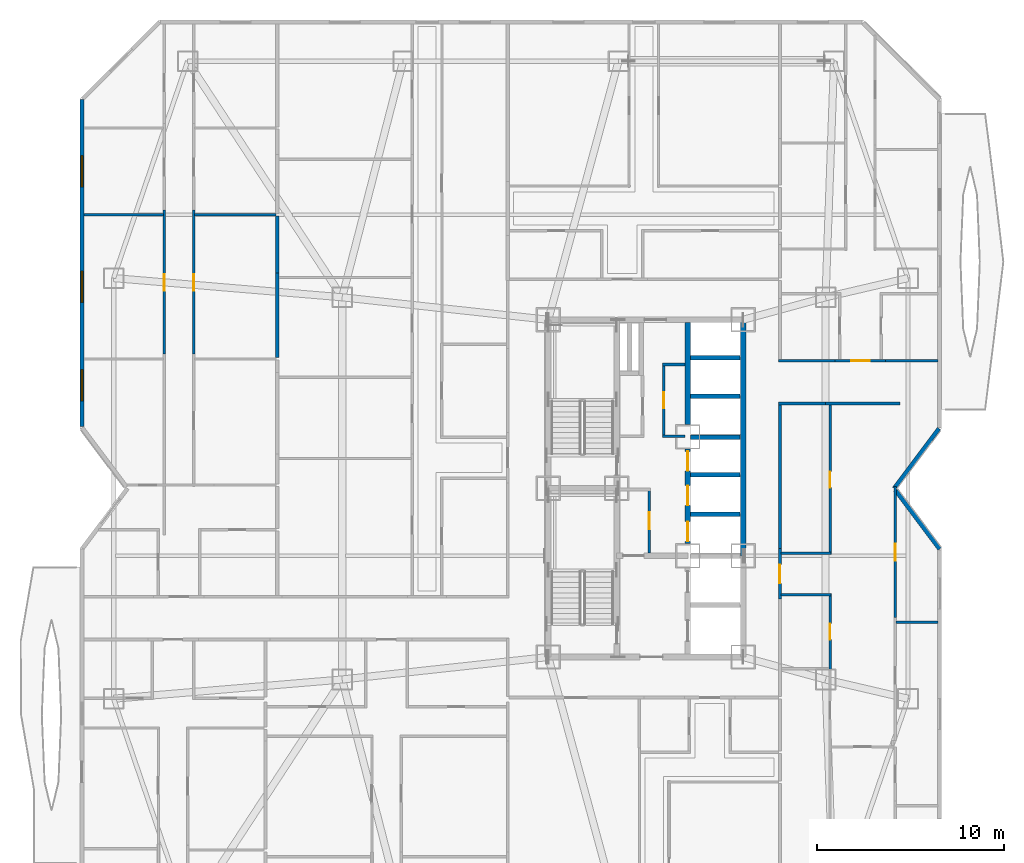
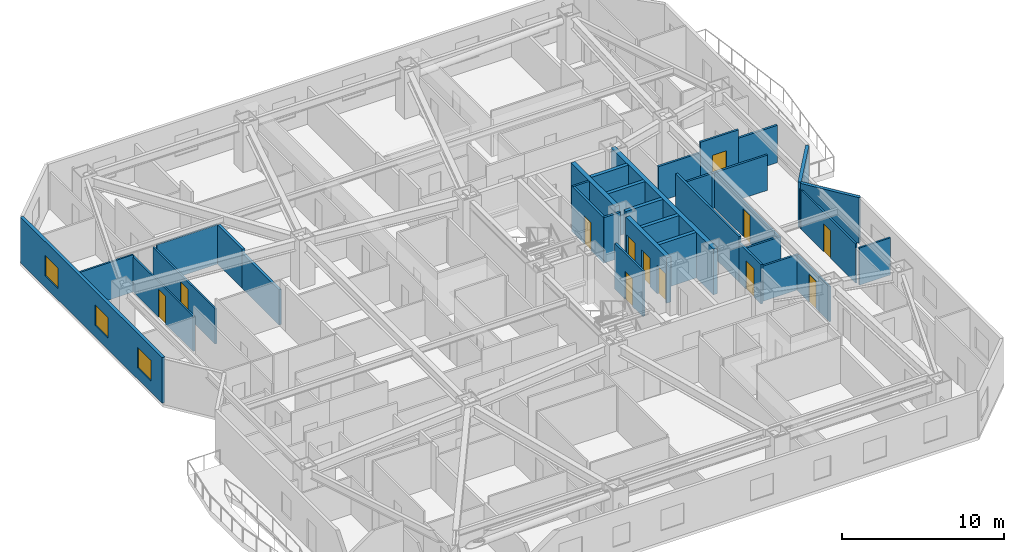
# One storey, part 11 of 17: 34 walls, 12 doors, 3 windows, 15 openings.
"""IFC4 building model written with IfcOpenShell, lengths in metres."""

from ifc_helpers import new_model, si_unit, direction, frame, frame_2d, origin, place, context, subcontext, project, spatial, rectangle, extrude, material, layer, layer_set, type_object, element, fill, save


model = new_model("IFC4")

# Units and contexts
model_context = context("Model", 3, precision=1e-05, world=origin(), true_north=direction((0.0, 1.0)))
body_context = subcontext(model_context, "Body", "Model", "MODEL_VIEW")
ifc_project = project(units=[si_unit("LENGTHUNIT", "METRE"), si_unit("AREAUNIT", "SQUARE_METRE"), si_unit("VOLUMEUNIT", "CUBIC_METRE"), si_unit("PLANEANGLEUNIT", "RADIAN"), si_unit("MASSUNIT", "GRAM", prefix="KILO")], contexts=[model_context])

# Site, building, storey
site_placement = place(None, origin())
site = spatial("IfcSite", under=ifc_project, at=site_placement, CompositionType="ELEMENT")
building_placement = place(site_placement, origin())
building = spatial("IfcBuilding", under=site, at=building_placement, Name="Khamvora Tower", CompositionType="ELEMENT")
storey_placement = place(building_placement, frame((0.0, 0.0, 44.25)))
storey = spatial("IfcBuildingStorey", under=building, at=storey_placement, Name="L10", CompositionType="ELEMENT", Elevation=44.25)

# Wall
ifc_material_1 = material(Name="Concrete C50/60", Category="concrete")
ifc_layer_1 = layer(ifc_material_1, 0.300048828125)
ifc_layer_set_1 = layer_set([ifc_layer_1], Name="Concrete C50/60")
wall_type_1 = type_object("IfcWallType", Name="WAL-CORE-300", PredefinedType="SHEAR", material=ifc_layer_set_1)
wall_1_placement = place(storey_placement, frame((39.39990234375, 24.39990234375, 0.0), z_axis=(0.0, 0.0, 1.0), x_axis=(0.0, 1.0, 0.0)))
element("IfcWall", 1, at=wall_1_placement, inside=storey, type_object=wall_type_1, Name="L10 central core east north wall", PredefinedType="SHEAR", context=body_context, shape_type="SweptSolid", body=[
    extrude(rectangle(XDim=12.60009765625, YDim=0.300048828125, at=frame_2d((6.300048828125, 0.0))), origin(), (0.0, 0.0, 1.0), 3.429931640625),
])

# Wall, openings, doors
wall_2_placement = place(storey_placement, frame((36.449951171875, 25.050048828125, 0.0), z_axis=(0.0, 0.0, 1.0), x_axis=(0.0, 1.0, 0.0)))
wall_2 = element("IfcWall", 2, at=wall_2_placement, inside=storey, type_object=wall_type_1, Name="L10 central core lift bank central wall", PredefinedType="SHEAR", context=body_context, shape_type="SweptSolid", body=[
    extrude(rectangle(XDim=5.050048828125, YDim=0.300048828125, at=frame_2d((2.52490234375, 0.0))), origin(), (0.0, 0.0, 1.0), 3.429931640625),
])
opening_1_placement = place(wall_2_placement, frame((0.1201171875, 0.0, 0.0)))
opening_1 = element("IfcOpeningElement", 3, at=opening_1_placement, cuts=wall_2, Name="Opening LD-PL", PredefinedType="OPENING", context=body_context, shape_type="SweptSolid", body=[
    extrude(rectangle(XDim=1.050048828125, YDim=2.14990234375, at=frame_2d((0.52490234375, 1.074951171875))), frame((0.0, 0.159912109375, 0.0), z_axis=(0.0, -1.0, 0.0), x_axis=(1.0, 0.0, 0.0)), (0.0, 0.0, 1.0), 0.320068359375),
])
opening_2_placement = place(wall_2_placement, frame((2.044921875, 0.0, 0.0)))
opening_2 = element("IfcOpeningElement", 4, at=opening_2_placement, cuts=wall_2, Name="Opening LD-PL", PredefinedType="OPENING", context=body_context, shape_type="SweptSolid", body=[
    extrude(rectangle(XDim=1.050048828125, YDim=2.14990234375, at=frame_2d((0.52490234375, 1.074951171875))), frame((0.0, 0.159912109375, 0.0), z_axis=(0.0, -1.0, 0.0), x_axis=(1.0, 0.0, 0.0)), (0.0, 0.0, 1.0), 0.320068359375),
])
opening_3_placement = place(wall_2_placement, frame((3.8798828125, 0.0, 0.0)))
opening_3 = element("IfcOpeningElement", 5, at=opening_3_placement, cuts=wall_2, Name="Opening LD-PL", PredefinedType="OPENING", context=body_context, shape_type="SweptSolid", body=[
    extrude(rectangle(XDim=1.050048828125, YDim=2.14990234375, at=frame_2d((0.52490234375, 1.074951171875))), frame((0.0, 0.159912109375, 0.0), z_axis=(0.0, -1.0, 0.0), x_axis=(1.0, 0.0, 0.0)), (0.0, 0.0, 1.0), 0.320068359375),
])
ifc_material_2 = material(Name="Powder-Coated Steel and Hardwood Leaf", Category="steel")
door_type_1 = type_object("IfcDoorType", Name="DOR-LIFT-1050", OperationType="SLIDING_TO_LEFT", PredefinedType="DOOR", material=ifc_material_2)
door_1_placement = place(opening_1_placement, origin())
door_1 = element("IfcDoor", 6, at=door_1_placement, inside=storey, type_object=door_type_1, Name="L10 lift landing sliding door PL-01", OperationType="SLIDING_TO_LEFT", OverallHeight=2.14990234375, OverallWidth=1.050048828125, PredefinedType="DOOR", context=body_context, shape_type="SweptSolid", body=[
    extrude(rectangle(XDim=1.050048828125, YDim=2.14990234375, at=frame_2d((0.52490234375, 1.074951171875))), frame((0.0, 0.02490234375, 0.0), z_axis=(0.0, -1.0, 0.0), x_axis=(1.0, 0.0, 0.0)), (0.0, 0.0, 1.0), 0.050048828125),
])
fill(opening_1, door_1)
door_2_placement = place(opening_2_placement, origin())
door_2 = element("IfcDoor", 7, at=door_2_placement, inside=storey, type_object=door_type_1, Name="L10 lift landing sliding door PL-02", OperationType="SLIDING_TO_LEFT", OverallHeight=2.14990234375, OverallWidth=1.050048828125, PredefinedType="DOOR", context=body_context, shape_type="SweptSolid", body=[
    extrude(rectangle(XDim=1.050048828125, YDim=2.14990234375, at=frame_2d((0.52490234375, 1.074951171875))), frame((0.0, 0.02490234375, 0.0), z_axis=(0.0, -1.0, 0.0), x_axis=(1.0, 0.0, 0.0)), (0.0, 0.0, 1.0), 0.050048828125),
])
fill(opening_2, door_2)
door_3_placement = place(opening_3_placement, origin())
door_3 = element("IfcDoor", 8, at=door_3_placement, inside=storey, type_object=door_type_1, Name="L10 lift landing sliding door PL-03", OperationType="SLIDING_TO_LEFT", OverallHeight=2.14990234375, OverallWidth=1.050048828125, PredefinedType="DOOR", context=body_context, shape_type="SweptSolid", body=[
    extrude(rectangle(XDim=1.050048828125, YDim=2.14990234375, at=frame_2d((0.52490234375, 1.074951171875))), frame((0.0, 0.02490234375, 0.0), z_axis=(0.0, -1.0, 0.0), x_axis=(1.0, 0.0, 0.0)), (0.0, 0.0, 1.0), 0.050048828125),
])
fill(opening_3, door_3)

# Walls
wall_3_placement = place(storey_placement, frame((36.449951171875, 31.39990234375, 0.0), z_axis=(0.0, 0.0, 1.0), x_axis=(0.0, 1.0, 0.0)))
element("IfcWall", 9, at=wall_3_placement, inside=storey, type_object=wall_type_1, Name="L10 central core lift bank north wall", PredefinedType="SHEAR", context=body_context, shape_type="SweptSolid", body=[
    extrude(rectangle(XDim=5.446044921875, YDim=0.300048828125, at=frame_2d((2.72314453125, 0.0))), origin(), (0.0, 0.0, 1.0), 3.429931640625),
])
ifc_material_3 = material(Name="Fire-Rated Drywall and Steel Stud", Category="steel")
ifc_layer_2 = layer(ifc_material_3, 0.14990234375)
ifc_layer_set_2 = layer_set([ifc_layer_2], Name="Fire-Rated Drywall and Steel Stud")
wall_type_2 = type_object("IfcWallType", Name="WAL-CORR-150", PredefinedType="STANDARD", material=ifc_layer_set_2)
wall_4_placement = place(storey_placement, frame((36.305908203125, 34.614990234375, 0.0), z_axis=(0.0, 0.0, 1.0), x_axis=(-1.0, 0.0, 0.0)))
element("IfcWall", 10, at=wall_4_placement, inside=storey, type_object=wall_type_2, Name="L10 interior partition wall 001", PredefinedType="STANDARD", context=body_context, shape_type="SweptSolid", body=[
    extrude(rectangle(XDim=1.205810546875, YDim=0.14990234375, at=frame_2d((0.60302734375, 0.0))), origin(), (0.0, 0.0, 1.0), 3.429931640625),
])

# Wall, opening, door
wall_5_placement = place(storey_placement, frame((35.1650390625, 34.677978515625, 0.0), z_axis=(0.0, 0.0, 1.0), x_axis=(0.0, -1.0, 0.0)))
wall_5 = element("IfcWall", 11, at=wall_5_placement, inside=storey, type_object=wall_type_2, Name="L10 interior partition wall 002", PredefinedType="STANDARD", context=body_context, shape_type="SweptSolid", body=[
    extrude(rectangle(XDim=3.9580078125, YDim=0.14990234375, at=frame_2d((1.97900390625, 0.0))), origin(), (0.0, 0.0, 1.0), 3.429931640625),
])
opening_4_placement = place(wall_5_placement, frame((1.553955078125, 0.0, 0.0)))
opening_4 = element("IfcOpeningElement", 12, at=opening_4_placement, cuts=wall_5, Name="Opening D-WC1", PredefinedType="OPENING", context=body_context, shape_type="SweptSolid", body=[
    extrude(rectangle(XDim=0.85009765625, YDim=2.10009765625, at=frame_2d((0.425048828125, 1.050048828125))), frame((0.0, 0.0849609375, 0.0), z_axis=(0.0, -1.0, 0.0), x_axis=(1.0, 0.0, 0.0)), (0.0, 0.0, 1.0), 0.169921875),
])
door_type_2 = type_object("IfcDoorType", Name="DOR-WET-850", OperationType="NOTDEFINED", PredefinedType="DOOR", material=ifc_material_2)
door_4_placement = place(opening_4_placement, origin())
door_4 = element("IfcDoor", 13, at=door_4_placement, inside=storey, type_object=door_type_2, Name="L10 interior door PLL-CS1", OperationType="SINGLE_SWING_RIGHT", OverallHeight=2.10009765625, OverallWidth=0.85009765625, PredefinedType="DOOR", context=body_context, shape_type="SweptSolid", body=[
    extrude(rectangle(XDim=0.85009765625, YDim=2.10009765625, at=frame_2d((0.425048828125, 1.050048828125))), frame((0.0, 0.02490234375, 0.0), z_axis=(0.0, -1.0, 0.0), x_axis=(1.0, 0.0, 0.0)), (0.0, 0.0, 1.0), 0.050048828125),
])
fill(opening_4, door_4)

# Wall
wall_6_placement = place(storey_placement, frame((35.10205078125, 30.784912109375, 0.0), z_axis=(0.0, 0.0, 1.0), x_axis=(1.0, 0.0, 0.0)))
element("IfcWall", 14, at=wall_6_placement, inside=storey, type_object=wall_type_2, Name="L10 interior partition wall 003", PredefinedType="STANDARD", context=body_context, shape_type="SweptSolid", body=[
    extrude(rectangle(XDim=1.197998046875, YDim=0.14990234375, at=frame_2d((0.59912109375, 0.0))), origin(), (0.0, 0.0, 1.0), 3.429931640625),
])

# Wall, opening, door
wall_7_placement = place(storey_placement, frame((34.385009765625, 24.5439453125, 0.0), z_axis=(0.0, 0.0, 1.0), x_axis=(0.0, 1.0, 0.0)))
wall_7 = element("IfcWall", 15, at=wall_7_placement, inside=storey, type_object=wall_type_2, Name="L10 interior partition wall 006", PredefinedType="STANDARD", context=body_context, shape_type="SweptSolid", body=[
    extrude(rectangle(XDim=3.4560546875, YDim=0.14990234375, at=frame_2d((1.72802734375, 0.0))), origin(), (0.0, 0.0, 1.0), 3.429931640625),
])
opening_5_placement = place(wall_7_placement, frame((1.278076171875, 0.0, 0.0)))
opening_5 = element("IfcOpeningElement", 16, at=opening_5_placement, cuts=wall_7, Name="Opening D-RM1", PredefinedType="OPENING", context=body_context, shape_type="SweptSolid", body=[
    extrude(rectangle(XDim=0.89990234375, YDim=2.10009765625, at=frame_2d((0.449951171875, 1.050048828125))), frame((0.0, 0.0849609375, 0.0), z_axis=(0.0, -1.0, 0.0), x_axis=(1.0, 0.0, 0.0)), (0.0, 0.0, 1.0), 0.169921875),
])
door_type_3 = type_object("IfcDoorType", Name="DOR-ROOM-900", OperationType="NOTDEFINED", PredefinedType="DOOR", material=ifc_material_2)
door_5_placement = place(opening_5_placement, origin())
door_5 = element("IfcDoor", 17, at=door_5_placement, inside=storey, type_object=door_type_3, Name="L10 interior door PLL-CS3", OperationType="SINGLE_SWING_RIGHT", OverallHeight=2.10009765625, OverallWidth=0.89990234375, PredefinedType="DOOR", context=body_context, shape_type="SweptSolid", body=[
    extrude(rectangle(XDim=0.89990234375, YDim=2.10009765625, at=frame_2d((0.449951171875, 1.050048828125))), frame((0.0, 0.02490234375, 0.0), z_axis=(0.0, -1.0, 0.0), x_axis=(1.0, 0.0, 0.0)), (0.0, 0.0, 1.0), 0.050048828125),
])
fill(opening_5, door_5)

# Wall
wall_8_placement = place(storey_placement, frame((47.76708984375, 32.534912109375, 0.0), z_axis=(0.0, 0.0, 1.0), x_axis=(-1.0, 0.0, 0.0)))
element("IfcWall", 18, at=wall_8_placement, inside=storey, type_object=wall_type_2, Name="L10 interior partition wall 033", PredefinedType="STANDARD", context=body_context, shape_type="SweptSolid", body=[
    extrude(rectangle(XDim=3.97802734375, YDim=0.14990234375, at=frame_2d((1.989013671875, 0.0))), origin(), (0.0, 0.0, 1.0), 2.64697265625),
])

# Wall, opening, door
wall_9_placement = place(storey_placement, frame((41.364990234375, 24.782958984375, 0.0), z_axis=(0.0, 0.0, 1.0), x_axis=(0.0, -1.0, 0.0)))
wall_9 = element("IfcWall", 19, at=wall_9_placement, inside=storey, type_object=wall_type_2, Name="L10 interior partition wall 034", PredefinedType="STANDARD", context=body_context, shape_type="SweptSolid", body=[
    extrude(rectangle(XDim=2.697998046875, YDim=0.14990234375, at=frame_2d((1.34912109375, 0.0))), origin(), (0.0, 0.0, 1.0), 2.95703125),
])
opening_6_placement = place(wall_9_placement, frame((0.84912109375, 0.0, 0.0)))
opening_6 = element("IfcOpeningElement", 20, at=opening_6_placement, cuts=wall_9, Name="Opening D-U1", PredefinedType="OPENING", context=body_context, shape_type="SweptSolid", body=[
    extrude(rectangle(XDim=1.0, YDim=2.14990234375, at=frame_2d((0.5, 1.074951171875))), frame((0.0, 0.0849609375, 0.0), z_axis=(0.0, -1.0, 0.0), x_axis=(1.0, 0.0, 0.0)), (0.0, 0.0, 1.0), 0.169921875),
])
door_type_4 = type_object("IfcDoorType", Name="DOR-UNIT-1000", OperationType="NOTDEFINED", PredefinedType="DOOR", material=ifc_material_2)
door_6_placement = place(opening_6_placement, origin())
door_6 = element("IfcDoor", 21, at=door_6_placement, inside=storey, type_object=door_type_4, Name="L10 interior door COR-10EAH", OperationType="SINGLE_SWING_RIGHT", OverallHeight=2.14990234375, OverallWidth=1.0, PredefinedType="DOOR", context=body_context, shape_type="SweptSolid", body=[
    extrude(rectangle(XDim=1.0, YDim=2.14990234375, at=frame_2d((0.5, 1.074951171875))), frame((0.0, 0.02490234375, 0.0), z_axis=(0.0, -1.0, 0.0), x_axis=(1.0, 0.0, 0.0)), (0.0, 0.0, 1.0), 0.050048828125),
])
fill(opening_6, door_6)

# Walls
wall_10_placement = place(storey_placement, frame((43.7890625, 32.534912109375, 0.0), z_axis=(0.0, 0.0, 1.0), x_axis=(-1.0, 0.0, 0.0)))
element("IfcWall", 22, at=wall_10_placement, inside=storey, type_object=wall_type_2, Name="L10 interior partition wall 036", PredefinedType="STANDARD", context=body_context, shape_type="SweptSolid", body=[
    extrude(rectangle(XDim=2.489013671875, YDim=0.14990234375, at=frame_2d((1.24462890625, 0.0))), origin(), (0.0, 0.0, 1.0), 2.64697265625),
])
wall_11_placement = place(storey_placement, frame((41.364990234375, 32.60009765625, 0.0), z_axis=(0.0, 0.0, 1.0), x_axis=(0.0, -1.0, 0.0)))
element("IfcWall", 23, at=wall_11_placement, inside=storey, type_object=wall_type_2, Name="L10 interior partition wall 037", PredefinedType="STANDARD", context=body_context, shape_type="SweptSolid", body=[
    extrude(rectangle(XDim=7.817138671875, YDim=0.14990234375, at=frame_2d((3.90869140625, 0.0))), origin(), (0.0, 0.0, 1.0), 3.429931640625),
])

# Wall, opening, door
wall_12_placement = place(storey_placement, frame((44.31103515625, 34.81494140625, 0.0), z_axis=(0.0, 0.0, 1.0), x_axis=(1.0, 0.0, 0.0)))
wall_12 = element("IfcWall", 24, at=wall_12_placement, inside=storey, type_object=wall_type_2, Name="L10 interior partition wall 039", PredefinedType="STANDARD", context=body_context, shape_type="SweptSolid", body=[
    extrude(rectangle(XDim=2.697998046875, YDim=0.14990234375, at=frame_2d((1.34912109375, 0.0))), origin(), (0.0, 0.0, 1.0), 3.429931640625),
])
opening_7_placement = place(wall_12_placement, frame((0.84912109375, 0.0, 0.0)))
opening_7 = element("IfcOpeningElement", 25, at=opening_7_placement, cuts=wall_12, Name="Opening D-U1", PredefinedType="OPENING", context=body_context, shape_type="SweptSolid", body=[
    extrude(rectangle(XDim=1.0, YDim=2.14990234375, at=frame_2d((0.5, 1.074951171875))), frame((0.0, 0.0849609375, 0.0), z_axis=(0.0, -1.0, 0.0), x_axis=(1.0, 0.0, 0.0)), (0.0, 0.0, 1.0), 0.169921875),
])
door_7_placement = place(opening_7_placement, origin())
door_7 = element("IfcDoor", 26, at=door_7_placement, inside=storey, type_object=door_type_4, Name="L10 interior door COR-10ECH", OperationType="SINGLE_SWING_LEFT", OverallHeight=2.14990234375, OverallWidth=1.0, PredefinedType="DOOR", context=body_context, shape_type="SweptSolid", body=[
    extrude(rectangle(XDim=1.0, YDim=2.14990234375, at=frame_2d((0.5, 1.074951171875))), frame((0.0, 0.02490234375, 0.0), z_axis=(0.0, -1.0, 0.0), x_axis=(1.0, 0.0, 0.0)), (0.0, 0.0, 1.0), 0.050048828125),
])
fill(opening_7, door_7)

# Walls
wall_13_placement = place(storey_placement, frame((41.300048828125, 34.81494140625, 0.0), z_axis=(0.0, 0.0, 1.0), x_axis=(1.0, 0.0, 0.0)))
element("IfcWall", 27, at=wall_13_placement, inside=storey, type_object=wall_type_2, Name="L10 interior partition wall 041", PredefinedType="STANDARD", context=body_context, shape_type="SweptSolid", body=[
    extrude(rectangle(XDim=3.010986328125, YDim=0.14990234375, at=frame_2d((1.50537109375, 0.0))), origin(), (0.0, 0.0, 1.0), 2.64697265625),
])
wall_14_placement = place(storey_placement, frame((47.009033203125, 34.81494140625, 0.0), z_axis=(0.0, 0.0, 1.0), x_axis=(1.0, 0.0, 0.0)))
element("IfcWall", 28, at=wall_14_placement, inside=storey, type_object=wall_type_2, Name="L10 interior partition wall 042", PredefinedType="STANDARD", context=body_context, shape_type="SweptSolid", body=[
    extrude(rectangle(XDim=2.779052734375, YDim=0.14990234375, at=frame_2d((1.3896484375, 0.0))), origin(), (0.0, 0.0, 1.0), 2.802978515625),
])
ifc_material_4 = material(Name="Acoustic Double-Stud Fire Wall", Category="gypsum")
ifc_layer_3 = layer(ifc_material_4, 0.179931640625)
ifc_layer_set_3 = layer_set([ifc_layer_3], Name="Acoustic Double-Stud Fire Wall")
wall_type_3 = type_object("IfcWallType", Name="WAL-CORR-180", PredefinedType="STANDARD", material=ifc_layer_set_3)
wall_15_placement = place(storey_placement, frame((14.533935546875, 39.5009765625, 0.0), z_axis=(0.0, 0.0, 1.0), x_axis=(0.0, -1.0, 0.0)))
element("IfcWall", 29, at=wall_15_placement, inside=storey, type_object=wall_type_3, Name="L10 interior partition wall 101", PredefinedType="STANDARD", context=body_context, shape_type="SweptSolid", body=[
    extrude(rectangle(XDim=4.52392578125, YDim=0.179931640625, at=frame_2d((2.261962890625, 0.0))), origin(), (0.0, 0.0, 1.0), 2.64697265625),
])
wall_16_placement = place(storey_placement, frame((14.533935546875, 42.5390625, 0.0), z_axis=(0.0, 0.0, 1.0), x_axis=(0.0, -1.0, 0.0)))
element("IfcWall", 30, at=wall_16_placement, inside=storey, type_object=wall_type_3, Name="L10 interior partition wall 102", PredefinedType="STANDARD", context=body_context, shape_type="SweptSolid", body=[
    extrude(rectangle(XDim=3.0380859375, YDim=0.179931640625, at=frame_2d((1.51904296875, 0.0))), origin(), (0.0, 0.0, 1.0), 2.95703125),
])

# Wall, openings, windows
ifc_material_5 = material(Name="Precast concrete C40/50", Category="concrete")
ifc_layer_4 = layer(ifc_material_5, 0.219970703125)
ifc_layer_set_4 = layer_set([ifc_layer_4], Name="Precast concrete C40/50")
wall_type_4 = type_object("IfcWallType", Name="WAL-EXT-220", PredefinedType="STANDARD", material=ifc_layer_set_4)
wall_17_placement = place(storey_placement, frame((4.110107421875, 31.294921875, 0.0), z_axis=(0.0, 0.0, 1.0), x_axis=(0.0, 1.0, 0.0)))
wall_17 = element("IfcWall", 31, at=wall_17_placement, inside=storey, type_object=wall_type_4, Name="L10 exterior facade wall 05.1", PredefinedType="STANDARD", context=body_context, shape_type="SweptSolid", body=[
    extrude(rectangle(XDim=17.458984375, YDim=0.219970703125, at=frame_2d((8.7294921875, 0.0))), origin(), (0.0, 0.0, 1.0), 3.429931640625),
])
opening_8_placement = place(wall_17_placement, frame((1.3759765625, 0.0, 0.85009765625)))
opening_8 = element("IfcOpeningElement", 32, at=opening_8_placement, cuts=wall_17, Name="Opening WN-06", PredefinedType="OPENING", context=body_context, shape_type="SweptSolid", body=[
    extrude(rectangle(XDim=1.64990234375, YDim=1.550048828125, at=frame_2d((0.824951171875, 0.77490234375))), frame((0.0, 0.119873046875, 0.0), z_axis=(0.0, -1.0, 0.0), x_axis=(1.0, 0.0, 0.0)), (0.0, 0.0, 1.0), 0.239990234375),
])
opening_9_placement = place(wall_17_placement, frame((6.637939453125, 0.0, 0.85009765625)))
opening_9 = element("IfcOpeningElement", 33, at=opening_9_placement, cuts=wall_17, Name="Opening WN-06", PredefinedType="OPENING", context=body_context, shape_type="SweptSolid", body=[
    extrude(rectangle(XDim=1.64990234375, YDim=1.550048828125, at=frame_2d((0.824951171875, 0.77490234375))), frame((0.0, 0.119873046875, 0.0), z_axis=(0.0, -1.0, 0.0), x_axis=(1.0, 0.0, 0.0)), (0.0, 0.0, 1.0), 0.239990234375),
])
opening_10_placement = place(wall_17_placement, frame((12.800048828125, 0.0, 0.85009765625)))
opening_10 = element("IfcOpeningElement", 34, at=opening_10_placement, cuts=wall_17, Name="Opening WN-06", PredefinedType="OPENING", context=body_context, shape_type="SweptSolid", body=[
    extrude(rectangle(XDim=1.64990234375, YDim=1.550048828125, at=frame_2d((0.824951171875, 0.77490234375))), frame((0.0, 0.119873046875, 0.0), z_axis=(0.0, -1.0, 0.0), x_axis=(1.0, 0.0, 0.0)), (0.0, 0.0, 1.0), 0.239990234375),
])
ifc_material_6 = material(Name="Low-E Laminated Double Glazing", Category="glass")
window_type = type_object("IfcWindowType", Name="WIN-VIS-1650x1550", PartitioningType="SINGLE_PANEL", PredefinedType="WINDOW", material=ifc_material_6)
window_1_placement = place(opening_8_placement, origin())
window_1 = element("IfcWindow", 35, at=window_1_placement, inside=storey, type_object=window_type, Name="L10 vision window 05.1.01", OverallHeight=1.550048828125, OverallWidth=1.64990234375, PartitioningType="SINGLE_PANEL", PredefinedType="WINDOW", context=body_context, shape_type="SweptSolid", body=[
    extrude(rectangle(XDim=1.64990234375, YDim=1.550048828125, at=frame_2d((0.824951171875, 0.77490234375))), frame((0.0, 0.030029296875, 0.0), z_axis=(0.0, -1.0, 0.0), x_axis=(1.0, 0.0, 0.0)), (0.0, 0.0, 1.0), 0.06005859375),
])
fill(opening_8, window_1)
window_2_placement = place(opening_9_placement, origin())
window_2 = element("IfcWindow", 36, at=window_2_placement, inside=storey, type_object=window_type, Name="L10 vision window 05.1.02", OverallHeight=1.550048828125, OverallWidth=1.64990234375, PartitioningType="SINGLE_PANEL", PredefinedType="WINDOW", context=body_context, shape_type="SweptSolid", body=[
    extrude(rectangle(XDim=1.64990234375, YDim=1.550048828125, at=frame_2d((0.824951171875, 0.77490234375))), frame((0.0, 0.030029296875, 0.0), z_axis=(0.0, -1.0, 0.0), x_axis=(1.0, 0.0, 0.0)), (0.0, 0.0, 1.0), 0.06005859375),
])
fill(opening_9, window_2)
window_3_placement = place(opening_10_placement, origin())
window_3 = element("IfcWindow", 37, at=window_3_placement, inside=storey, type_object=window_type, Name="L10 vision window 05.1.03", OverallHeight=1.550048828125, OverallWidth=1.64990234375, PartitioningType="SINGLE_PANEL", PredefinedType="WINDOW", context=body_context, shape_type="SweptSolid", body=[
    extrude(rectangle(XDim=1.64990234375, YDim=1.550048828125, at=frame_2d((0.824951171875, 0.77490234375))), frame((0.0, 0.030029296875, 0.0), z_axis=(0.0, -1.0, 0.0), x_axis=(1.0, 0.0, 0.0)), (0.0, 0.0, 1.0), 0.06005859375),
])
fill(opening_10, window_3)

# Walls
wall_18_placement = place(storey_placement, frame((49.85595703125, 31.19091796875, 0.0), z_axis=(0.0, 0.0, 1.0), x_axis=(-0.600137081448, -0.799897170561, 0.0)))
element("IfcWall", 38, at=wall_18_placement, inside=storey, type_object=wall_type_4, Name="L10 exterior facade wall 10.1", PredefinedType="STANDARD", context=body_context, shape_type="SweptSolid", body=[
    extrude(rectangle(XDim=3.9892578125, YDim=0.219970703125, at=frame_2d((1.99462890625, 0.0))), origin(), (0.0, 0.0, 1.0), 3.429931640625),
])
wall_19_placement = place(storey_placement, frame((47.51904296875, 27.923095703125, 0.0), z_axis=(0.0, 0.0, 1.0), x_axis=(0.600118645218, -0.799911002338, 0.0)))
element("IfcWall", 39, at=wall_19_placement, inside=storey, type_object=wall_type_4, Name="L10 exterior facade wall 11.1", PredefinedType="STANDARD", context=body_context, shape_type="SweptSolid", body=[
    extrude(rectangle(XDim=3.95068359375, YDim=0.219970703125, at=frame_2d((1.975341796875, 0.0))), origin(), (0.0, 0.0, 1.0), 3.429931640625),
])

# Wall, opening, door
ifc_material_7 = material(Name="Gypsum Plasterboard Partition", Category="gypsum")
ifc_layer_5 = layer(ifc_material_7, 0.1201171875)
ifc_layer_set_5 = layer_set([ifc_layer_5], Name="Gypsum Plasterboard Partition")
wall_type_5 = type_object("IfcWallType", Name="WAL-PART-120", PredefinedType="PARTITIONING", material=ifc_layer_set_5)
wall_20_placement = place(storey_placement, frame((8.50390625, 35.160888671875, 0.0), z_axis=(0.0, 0.0, 1.0), x_axis=(0.0, 1.0, 0.0)))
wall_20 = element("IfcWall", 40, at=wall_20_placement, inside=storey, type_object=wall_type_5, Name="L10 interior partition wall 083", PredefinedType="PARTITIONING", context=body_context, shape_type="SweptSolid", body=[
    extrude(rectangle(XDim=7.692138671875, YDim=0.1201171875, at=frame_2d((3.84619140625, 0.0))), origin(), (0.0, 0.0, 1.0), 2.64697265625),
])
opening_11_placement = place(wall_20_placement, frame((3.375, 0.0, 0.0)))
opening_11 = element("IfcOpeningElement", 41, at=opening_11_placement, cuts=wall_20, Name="Opening D-RM1", PredefinedType="OPENING", context=body_context, shape_type="SweptSolid", body=[
    extrude(rectangle(XDim=0.89990234375, YDim=2.10009765625, at=frame_2d((0.449951171875, 1.050048828125))), frame((0.0, 0.070068359375, 0.0), z_axis=(0.0, -1.0, 0.0), x_axis=(1.0, 0.0, 0.0)), (0.0, 0.0, 1.0), 0.14013671875),
])
door_8_placement = place(opening_11_placement, origin())
door_8 = element("IfcDoor", 42, at=door_8_placement, inside=storey, type_object=door_type_3, Name="L10 interior door 10WC1H-10WC1R2", OperationType="SINGLE_SWING_LEFT", OverallHeight=2.10009765625, OverallWidth=0.89990234375, PredefinedType="DOOR", context=body_context, shape_type="SweptSolid", body=[
    extrude(rectangle(XDim=0.89990234375, YDim=2.10009765625, at=frame_2d((0.449951171875, 1.050048828125))), frame((0.0, 0.02490234375, 0.0), z_axis=(0.0, -1.0, 0.0), x_axis=(1.0, 0.0, 0.0)), (0.0, 0.0, 1.0), 0.050048828125),
])
fill(opening_11, door_8)

wall_21_placement = place(storey_placement, frame((10.073974609375, 42.85302734375, 0.0), z_axis=(0.0, 0.0, 1.0), x_axis=(0.0, -1.0, 0.0)))
wall_21 = element("IfcWall", 43, at=wall_21_placement, inside=storey, type_object=wall_type_5, Name="L10 interior partition wall 088", PredefinedType="PARTITIONING", context=body_context, shape_type="SweptSolid", body=[
    extrude(rectangle(XDim=7.692138671875, YDim=0.1201171875, at=frame_2d((3.84619140625, 0.0))), origin(), (0.0, 0.0, 1.0), 2.64697265625),
])
opening_12_placement = place(wall_21_placement, frame((3.4169921875, 0.0, 0.0)))
opening_12 = element("IfcOpeningElement", 44, at=opening_12_placement, cuts=wall_21, Name="Opening D-RM1", PredefinedType="OPENING", context=body_context, shape_type="SweptSolid", body=[
    extrude(rectangle(XDim=0.89990234375, YDim=2.10009765625, at=frame_2d((0.449951171875, 1.050048828125))), frame((0.0, 0.070068359375, 0.0), z_axis=(0.0, -1.0, 0.0), x_axis=(1.0, 0.0, 0.0)), (0.0, 0.0, 1.0), 0.14013671875),
])
door_9_placement = place(opening_12_placement, origin())
door_9 = element("IfcDoor", 45, at=door_9_placement, inside=storey, type_object=door_type_3, Name="L10 interior door 10WC1H-10WC1R6", OperationType="SINGLE_SWING_RIGHT", OverallHeight=2.10009765625, OverallWidth=0.89990234375, PredefinedType="DOOR", context=body_context, shape_type="SweptSolid", body=[
    extrude(rectangle(XDim=0.89990234375, YDim=2.10009765625, at=frame_2d((0.449951171875, 1.050048828125))), frame((0.0, 0.02490234375, 0.0), z_axis=(0.0, -1.0, 0.0), x_axis=(1.0, 0.0, 0.0)), (0.0, 0.0, 1.0), 0.050048828125),
])
fill(opening_12, door_9)

# Walls
wall_22_placement = place(storey_placement, frame((4.2119140625, 42.60400390625, 0.0), z_axis=(0.0, 0.0, 1.0), x_axis=(1.0, 0.0, 0.0)))
element("IfcWall", 46, at=wall_22_placement, inside=storey, type_object=wall_type_5, Name="L10 interior partition wall 094", PredefinedType="PARTITIONING", context=body_context, shape_type="SweptSolid", body=[
    extrude(rectangle(XDim=4.238037109375, YDim=0.1201171875, at=frame_2d((2.119140625, 0.0))), origin(), (0.0, 0.0, 1.0), 2.802978515625),
])
wall_23_placement = place(storey_placement, frame((10.1279296875, 42.60400390625, 0.0), z_axis=(0.0, 0.0, 1.0), x_axis=(1.0, 0.0, 0.0)))
element("IfcWall", 47, at=wall_23_placement, inside=storey, type_object=wall_type_5, Name="L10 interior partition wall 100", PredefinedType="PARTITIONING", context=body_context, shape_type="SweptSolid", body=[
    extrude(rectangle(XDim=4.341064453125, YDim=0.1201171875, at=frame_2d((2.17041015625, 0.0))), origin(), (0.0, 0.0, 1.0), 2.95703125),
])

# Wall, opening, door
wall_24_placement = place(storey_placement, frame((47.51806640625, 28.097900390625, 0.0), z_axis=(0.0, 0.0, 1.0), x_axis=(0.0, -1.0, 0.0)))
wall_24 = element("IfcWall", 48, at=wall_24_placement, inside=storey, type_object=wall_type_5, Name="L10 interior partition wall 157", PredefinedType="PARTITIONING", context=body_context, shape_type="SweptSolid", body=[
    extrude(rectangle(XDim=6.995849609375, YDim=0.1201171875, at=frame_2d((3.498046875, 0.0))), origin(), (0.0, 0.0, 1.0), 2.95703125),
])
opening_13_placement = place(wall_24_placement, frame((3.048095703125, 0.0, 0.0)))
opening_13 = element("IfcOpeningElement", 49, at=opening_13_placement, cuts=wall_24, Name="Opening D-RM1", PredefinedType="OPENING", context=body_context, shape_type="SweptSolid", body=[
    extrude(rectangle(XDim=0.89990234375, YDim=2.10009765625, at=frame_2d((0.449951171875, 1.050048828125))), frame((0.0, 0.070068359375, 0.0), z_axis=(0.0, -1.0, 0.0), x_axis=(1.0, 0.0, 0.0)), (0.0, 0.0, 1.0), 0.14013671875),
])
door_10_placement = place(opening_13_placement, origin())
door_10 = element("IfcDoor", 50, at=door_10_placement, inside=storey, type_object=door_type_3, Name="L10 interior door 10EAH-10EAR3", OperationType="SINGLE_SWING_LEFT", OverallHeight=2.10009765625, OverallWidth=0.89990234375, PredefinedType="DOOR", context=body_context, shape_type="SweptSolid", body=[
    extrude(rectangle(XDim=0.89990234375, YDim=2.10009765625, at=frame_2d((0.449951171875, 1.050048828125))), frame((0.0, 0.02490234375, 0.0), z_axis=(0.0, -1.0, 0.0), x_axis=(1.0, 0.0, 0.0)), (0.0, 0.0, 1.0), 0.050048828125),
])
fill(opening_13, door_10)

# Walls
wall_25_placement = place(storey_placement, frame((47.572021484375, 20.85302734375, 0.0), z_axis=(0.0, 0.0, 1.0), x_axis=(1.0, 0.0, 0.0)))
element("IfcWall", 51, at=wall_25_placement, inside=storey, type_object=wall_type_5, Name="L10 interior partition wall 161", PredefinedType="PARTITIONING", context=body_context, shape_type="SweptSolid", body=[
    extrude(rectangle(XDim=2.216064453125, YDim=0.1201171875, at=frame_2d((1.10791015625, 0.0))), origin(), (0.0, 0.0, 1.0), 2.802978515625),
])
ifc_material_8 = material(Name="Concrete C40/50", Category="concrete")
ifc_layer_6 = layer(ifc_material_8, 0.25)
ifc_layer_set_6 = layer_set([ifc_layer_6], Name="Concrete C40/50")
wall_type_6 = type_object("IfcWallType", Name="WAL-PODS-250", PredefinedType="SHEAR", material=ifc_layer_set_6)
for number, where, z_axis, x_axis, name in (
    (52, (36.60400390625, 26.625, 0.0), (0.0, 0.0, 1.0), (1.0, 0.0, 0.0), "L10 lift shaft divider wall PL-01"),
    (53, (36.60400390625, 28.72509765625, 0.0), (0.0, 0.0, 1.0), (1.0, 0.0, 0.0), "L10 lift shaft divider wall PL-02"),
    (54, (36.60400390625, 30.72509765625, 0.0), (0.0, 0.0, 1.0), (1.0, 0.0, 0.0), "L10 lift shaft divider wall PL-03"),
    (55, (36.60400390625, 32.925048828125, 0.0), (0.0, 0.0, 1.0), (1.0, 0.0, 0.0), "L10 lift shaft divider wall PH-01"),
    (56, (36.60400390625, 34.97509765625, 0.0), (0.0, 0.0, 1.0), (1.0, 0.0, 0.0), "L10 lift shaft divider wall PH-02"),
):
    element("IfcWall", number, at=place(storey_placement, frame(where, z_axis=z_axis, x_axis=x_axis)), inside=storey, type_object=wall_type_6, Name=name, PredefinedType="SHEAR", context=body_context, shape_type="SweptSolid", body=[
        extrude(rectangle(XDim=2.64208984375, YDim=0.25, at=frame_2d((1.321044921875, 0.0))), origin(), (0.0, 0.0, 1.0), 3.429931640625),
    ])

# Wall, opening, door
ifc_material_9 = material(Name="Moisture-Resistant Plasterboard Partition", Category="gypsum")
ifc_layer_7 = layer(ifc_material_9, 0.135009765625)
ifc_layer_set_7 = layer_set([ifc_layer_7], Name="Moisture-Resistant Plasterboard Partition")
wall_type_7 = type_object("IfcWallType", Name="WAL-WET-135", PredefinedType="PARTITIONING", material=ifc_layer_set_7)
wall_26_placement = place(storey_placement, frame((44.0380859375, 18.303955078125, 0.0), z_axis=(0.0, 0.0, 1.0), x_axis=(0.0, 1.0, 0.0)))
wall_26 = element("IfcWall", 57, at=wall_26_placement, inside=storey, type_object=wall_type_7, Name="L10 interior partition wall 152", PredefinedType="PARTITIONING", context=body_context, shape_type="SweptSolid", body=[
    extrude(rectangle(XDim=4.094970703125, YDim=0.135009765625, at=frame_2d((2.04736328125, 0.0))), origin(), (0.0, 0.0, 1.0), 2.64697265625),
])
opening_14_placement = place(wall_26_placement, frame((1.6220703125, 0.0, 0.0)))
opening_14 = element("IfcOpeningElement", 58, at=opening_14_placement, cuts=wall_26, Name="Opening D-WC1", PredefinedType="OPENING", context=body_context, shape_type="SweptSolid", body=[
    extrude(rectangle(XDim=0.85009765625, YDim=2.10009765625, at=frame_2d((0.425048828125, 1.050048828125))), frame((0.0, 0.077392578125, 0.0), z_axis=(0.0, -1.0, 0.0), x_axis=(1.0, 0.0, 0.0)), (0.0, 0.0, 1.0), 0.155029296875),
])
door_11_placement = place(opening_14_placement, origin())
door_11 = element("IfcDoor", 59, at=door_11_placement, inside=storey, type_object=door_type_2, Name="L10 interior door 10EAH-10EAB", OperationType="SINGLE_SWING_LEFT", OverallHeight=2.10009765625, OverallWidth=0.85009765625, PredefinedType="DOOR", context=body_context, shape_type="SweptSolid", body=[
    extrude(rectangle(XDim=0.85009765625, YDim=2.10009765625, at=frame_2d((0.425048828125, 1.050048828125))), frame((0.0, 0.02490234375, 0.0), z_axis=(0.0, -1.0, 0.0), x_axis=(1.0, 0.0, 0.0)), (0.0, 0.0, 1.0), 0.050048828125),
])
fill(opening_14, door_11)

# Walls
for number, where, z_axis, x_axis, name in (
    (60, (44.10302734375, 22.333984375, 0.0), (0.0, 0.0, 1.0), (-1.0, 0.0, 0.0), "L10 interior partition wall 153"),
    (61, (41.431884765625, 24.533935546875, 0.0), (0.0, 0.0, 1.0), (1.0, 0.0, 0.0), "L10 interior partition wall 154"),
):
    element("IfcWall", number, at=place(storey_placement, frame(where, z_axis=z_axis, x_axis=x_axis)), inside=storey, type_object=wall_type_7, Name=name, PredefinedType="PARTITIONING", context=body_context, shape_type="SweptSolid", body=[
        extrude(rectangle(XDim=2.671142578125, YDim=0.135009765625, at=frame_2d((1.33544921875, 0.0))), origin(), (0.0, 0.0, 1.0), 2.64697265625),
    ])

# Wall, opening, door
wall_27_placement = place(storey_placement, frame((44.0380859375, 24.468994140625, 0.0), z_axis=(0.0, 0.0, 1.0), x_axis=(0.0, 1.0, 0.0)))
wall_27 = element("IfcWall", 62, at=wall_27_placement, inside=storey, type_object=wall_type_7, Name="L10 interior partition wall 155", PredefinedType="PARTITIONING", context=body_context, shape_type="SweptSolid", body=[
    extrude(rectangle(XDim=7.9990234375, YDim=0.135009765625, at=frame_2d((3.99951171875, 0.0))), origin(), (0.0, 0.0, 1.0), 2.64697265625),
])
opening_15_placement = place(wall_27_placement, frame((3.574951171875, 0.0, 0.0)))
opening_15 = element("IfcOpeningElement", 63, at=opening_15_placement, cuts=wall_27, Name="Opening D-RM2", PredefinedType="OPENING", context=body_context, shape_type="SweptSolid", body=[
    extrude(rectangle(XDim=0.85009765625, YDim=2.10009765625, at=frame_2d((0.425048828125, 1.050048828125))), frame((0.0, 0.077392578125, 0.0), z_axis=(0.0, -1.0, 0.0), x_axis=(1.0, 0.0, 0.0)), (0.0, 0.0, 1.0), 0.155029296875),
])
door_type_5 = type_object("IfcDoorType", Name="DOR-ROOM-850", OperationType="NOTDEFINED", PredefinedType="DOOR", material=ifc_material_2)
door_12_placement = place(opening_15_placement, origin())
door_12 = element("IfcDoor", 64, at=door_12_placement, inside=storey, type_object=door_type_5, Name="L10 interior door 10EAH-10EAK", OperationType="SINGLE_SWING_RIGHT", OverallHeight=2.10009765625, OverallWidth=0.85009765625, PredefinedType="DOOR", context=body_context, shape_type="SweptSolid", body=[
    extrude(rectangle(XDim=0.85009765625, YDim=2.10009765625, at=frame_2d((0.425048828125, 1.050048828125))), frame((0.0, 0.02490234375, 0.0), z_axis=(0.0, -1.0, 0.0), x_axis=(1.0, 0.0, 0.0)), (0.0, 0.0, 1.0), 0.050048828125),
])
fill(opening_15, door_12)

save(model, "model.ifc")
